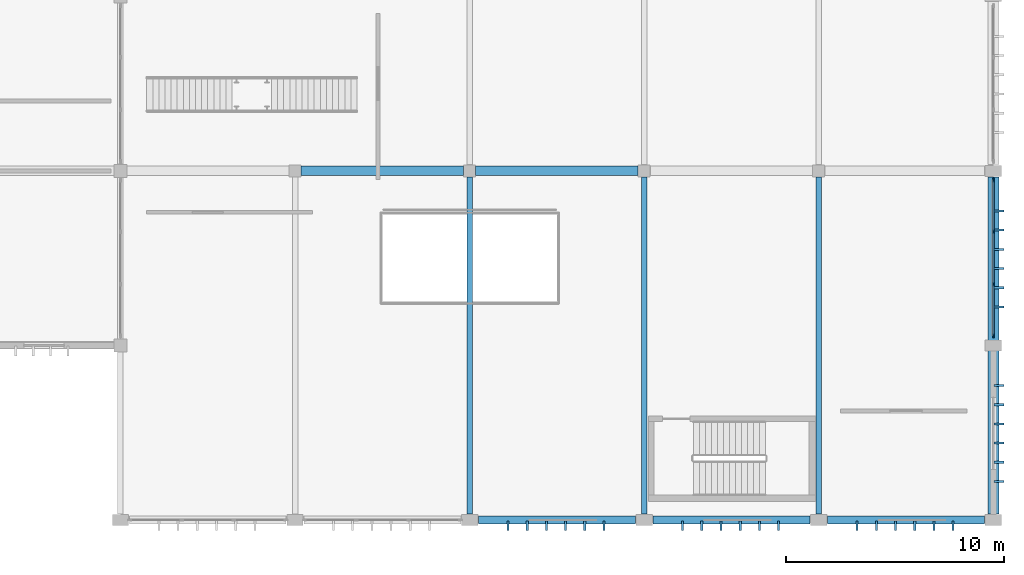
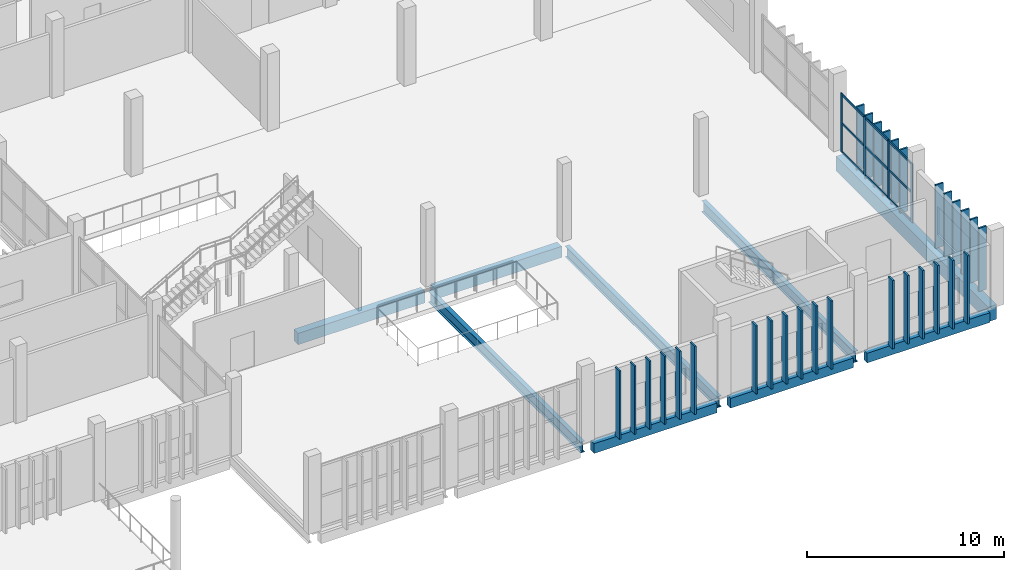
# One storey, part 51 of 106: 43 members, 9 beams, 1 element without a shape of its own.
"""IFC4 building model written with IfcOpenShell, lengths in metres."""

from ifc_helpers import new_model, si_unit, direction, frame, origin, origin_2d, place, context, subcontext, project, spatial, rectangle, i_section, extrude, material, layer, layer_set, material_profile, profile_set, type_object, element, aggregate, save


model = new_model("IFC4")

# Units and contexts
model_context = context("Model", 3, precision=1e-05, world=origin(), true_north=direction((0.0, 1.0)))
body_context = subcontext(model_context, "Body", "Model", "MODEL_VIEW")
ifc_project = project(units=[si_unit("LENGTHUNIT", "METRE"), si_unit("AREAUNIT", "SQUARE_METRE"), si_unit("VOLUMEUNIT", "CUBIC_METRE"), si_unit("PLANEANGLEUNIT", "RADIAN"), si_unit("MASSUNIT", "GRAM", prefix="KILO")], contexts=[model_context])

# Site, building, storey
site_placement = place(None, origin())
site = spatial("IfcSite", under=ifc_project, at=site_placement, CompositionType="ELEMENT")
building_placement = place(site_placement, origin())
building = spatial("IfcBuilding", under=site, at=building_placement, Name="Jelvoka-Kovrelna Polytechnic", CompositionType="ELEMENT")
storey_placement = place(building_placement, frame((0.0, 0.0, 4.800048828125)))
storey = spatial("IfcBuildingStorey", under=building, at=storey_placement, Name="L02", CompositionType="ELEMENT", Elevation=4.800048828125)

# Beams
ifc_material_1 = material(Name="Concrete C40/50", Category="concrete")
ifc_material_profile_1 = material_profile(ifc_material_1, rectangle(XDim=0.449951171875, YDim=0.699951171875, at=origin_2d()), Name="RC 450x700")
ifc_profile_set_1 = profile_set([ifc_material_profile_1], Name="Concrete C40/50")
beam_type_1 = type_object("IfcBeamType", Name="Beam_RC_450x700", PredefinedType="BEAM", material=ifc_profile_set_1)
for number, where, z_axis, x_axis, name in (
    (1, (168.280029296875, 16.0, -0.635009765625), (1.0, 0.0, 0.0), (0.0, 1.0, 0.0), "L02 beam 0184"),
    (2, (176.280029296875, 16.0, -0.635009765625), (1.0, 0.0, 0.0), (0.0, 1.0, 0.0), "L02 beam 0187"),
):
    element("IfcBeam", number, at=place(storey_placement, frame(where, z_axis=z_axis, x_axis=x_axis)), inside=storey, type_object=beam_type_1, Name=name, PredefinedType="BEAM", context=body_context, shape_type="SweptSolid", body=[
        extrude(rectangle(XDim=0.449951171875, YDim=0.699951171875, at=origin_2d()), origin(), (0.0, 0.0, 1.0), 7.43994140625),
    ])
ifc_material_2 = material(Name="Concrete C40/50", Category="concrete")
ifc_material_profile_2 = material_profile(ifc_material_2, rectangle(XDim=0.5, YDim=0.89990234375, at=origin_2d()), Name="RC 500x900")
ifc_profile_set_2 = profile_set([ifc_material_profile_2], Name="Concrete C40/50")
beam_type_2 = type_object("IfcBeamType", Name="Beam_RC_500x900", PredefinedType="BEAM", material=ifc_profile_set_2)
beam_placement = place(storey_placement, frame((200.0, 0.280029296875, -0.735107421875), z_axis=(0.0, 1.0, 0.0), x_axis=(-1.0, 0.0, 0.0)))
element("IfcBeam", 3, at=beam_placement, inside=storey, type_object=beam_type_2, Name="L02 beam 0178", PredefinedType="BEAM", context=body_context, shape_type="SweptSolid", body=[
    extrude(rectangle(XDim=0.5, YDim=0.89990234375, at=origin_2d()), origin(), (0.0, 0.0, 1.0), 15.43994140625),
])
ifc_material_3 = material(Name="Structural steel S355JR", Category="steel")
ifc_material_profile_3 = material_profile(ifc_material_3, i_section(OverallWidth=0.2529296875, OverallDepth=0.677978515625, WebThickness=0.01171875, FlangeThickness=0.01611328125, FilletRadius=0.01513671875, at=origin_2d()), Name="686x254x125 UB")
ifc_profile_set_3 = profile_set([ifc_material_profile_3], Name="Structural steel S355JR")
beam_type_3 = type_object("IfcBeamType", Name="Girder_Steel_UB686", PredefinedType="BEAM", material=ifc_profile_set_3)
for number, where, z_axis, x_axis, name in (
    (4, (176.0, 0.280029296875, -0.6240234375), (0.0, 1.0, 0.0), (-1.0, 0.0, 0.0), "L02 beam 0172"),
    (5, (184.0, 0.280029296875, -0.6240234375), (0.0, 1.0, 0.0), (-1.0, 0.0, 0.0), "L02 beam 0174"),
    (6, (192.0, 0.280029296875, -0.6240234375), (0.0, 1.0, 0.0), (-1.0, 0.0, 0.0), "L02 beam 0176"),
):
    element("IfcBeam", number, at=place(storey_placement, frame(where, z_axis=z_axis, x_axis=x_axis)), inside=storey, type_object=beam_type_3, Name=name, PredefinedType="BEAM", context=body_context, shape_type="SweptSolid", body=[
        extrude(i_section(OverallWidth=0.2529296875, OverallDepth=0.677978515625, WebThickness=0.01171875, FlangeThickness=0.01611328125, FilletRadius=0.01513671875, at=origin_2d()), origin(), (0.0, 0.0, 1.0), 15.43994140625),
    ])

# Members
ifc_material_4 = material(Name="Precast concrete C40/50", Category="concrete")
ifc_material_profile_4 = material_profile(ifc_material_4, rectangle(XDim=0.10009765625, YDim=0.449951171875, at=origin_2d()), Name="PC 100x450")
ifc_profile_set_4 = profile_set([ifc_material_profile_4], Name="Precast concrete C40/50")
member_type_1 = type_object("IfcMemberType", Name="Louvre_Fin_100x450", PredefinedType="USERDEFINED", material=ifc_profile_set_4)
for number, where, z_axis, x_axis, name in (
    (7, (177.760009765625, -0.264892578125, -0.2900390625), (0.0, 0.0, 1.0), (1.0, 0.0, 0.0), "L02 V5 south solar louvre fin 2482"),
    (8, (178.639892578125, -0.264892578125, -0.2900390625), (0.0, 0.0, 1.0), (1.0, 0.0, 0.0), "L02 V5 south solar louvre fin 2483"),
    (9, (179.52001953125, -0.264892578125, -0.2900390625), (0.0, 0.0, 1.0), (1.0, 0.0, 0.0), "L02 V5 south solar louvre fin 2484"),
    (10, (180.39990234375, -0.264892578125, -0.2900390625), (0.0, 0.0, 1.0), (1.0, 0.0, 0.0), "L02 V5 south solar louvre fin 2485"),
    (11, (181.280029296875, -0.264892578125, -0.2900390625), (0.0, 0.0, 1.0), (1.0, 0.0, 0.0), "L02 V5 south solar louvre fin 2486"),
    (12, (182.159912109375, -0.264892578125, -0.2900390625), (0.0, 0.0, 1.0), (1.0, 0.0, 0.0), "L02 V5 south solar louvre fin 2487"),
    (13, (185.760009765625, -0.264892578125, -0.2900390625), (0.0, 0.0, 1.0), (1.0, 0.0, 0.0), "L02 V5 south solar louvre fin 2488"),
    (14, (186.639892578125, -0.264892578125, -0.2900390625), (0.0, 0.0, 1.0), (1.0, 0.0, 0.0), "L02 V5 south solar louvre fin 2489"),
    (15, (187.52001953125, -0.264892578125, -0.2900390625), (0.0, 0.0, 1.0), (1.0, 0.0, 0.0), "L02 V5 south solar louvre fin 2490"),
    (16, (188.39990234375, -0.264892578125, -0.2900390625), (0.0, 0.0, 1.0), (1.0, 0.0, 0.0), "L02 V5 south solar louvre fin 2491"),
    (17, (189.280029296875, -0.264892578125, -0.2900390625), (0.0, 0.0, 1.0), (1.0, 0.0, 0.0), "L02 V5 south solar louvre fin 2492"),
    (18, (190.159912109375, -0.264892578125, -0.2900390625), (0.0, 0.0, 1.0), (1.0, 0.0, 0.0), "L02 V5 south solar louvre fin 2493"),
    (19, (193.760009765625, -0.264892578125, -0.2900390625), (0.0, 0.0, 1.0), (1.0, 0.0, 0.0), "L02 V5 south solar louvre fin 2494"),
    (20, (194.639892578125, -0.264892578125, -0.2900390625), (0.0, 0.0, 1.0), (1.0, 0.0, 0.0), "L02 V5 south solar louvre fin 2495"),
    (21, (195.52001953125, -0.264892578125, -0.2900390625), (0.0, 0.0, 1.0), (1.0, 0.0, 0.0), "L02 V5 south solar louvre fin 2496"),
    (22, (196.39990234375, -0.264892578125, -0.2900390625), (0.0, 0.0, 1.0), (1.0, 0.0, 0.0), "L02 V5 south solar louvre fin 2497"),
    (23, (197.280029296875, -0.264892578125, -0.2900390625), (0.0, 0.0, 1.0), (1.0, 0.0, 0.0), "L02 V5 south solar louvre fin 2498"),
    (24, (198.159912109375, -0.264892578125, -0.2900390625), (0.0, 0.0, 1.0), (1.0, 0.0, 0.0), "L02 V5 south solar louvre fin 2499"),
):
    element("IfcMember", number, at=place(storey_placement, frame(where, z_axis=z_axis, x_axis=x_axis)), inside=storey, type_object=member_type_1, Name=name, ObjectType="SUNSHADE", PredefinedType="USERDEFINED", context=body_context, shape_type="SweptSolid", body=[
        extrude(rectangle(XDim=0.10009765625, YDim=0.449951171875, at=origin_2d()), origin(), (0.0, 0.0, 1.0), 4.22998046875),
    ])
for number, where, z_axis, x_axis, name in (
    (25, (200.264892578125, 1.760009765625, -0.2900390625), (0.0, 0.0, 1.0), (0.0, 1.0, 0.0), "L02 V5 east solar louvre fin 2500"),
    (26, (200.264892578125, 2.639892578125, -0.2900390625), (0.0, 0.0, 1.0), (0.0, 1.0, 0.0), "L02 V5 east solar louvre fin 2501"),
    (27, (200.264892578125, 3.52001953125, -0.2900390625), (0.0, 0.0, 1.0), (0.0, 1.0, 0.0), "L02 V5 east solar louvre fin 2502"),
    (28, (200.264892578125, 4.39990234375, -0.2900390625), (0.0, 0.0, 1.0), (0.0, 1.0, 0.0), "L02 V5 east solar louvre fin 2503"),
    (29, (200.264892578125, 5.280029296875, -0.2900390625), (0.0, 0.0, 1.0), (0.0, 1.0, 0.0), "L02 V5 east solar louvre fin 2504"),
    (30, (200.264892578125, 6.159912109375, -0.2900390625), (0.0, 0.0, 1.0), (0.0, 1.0, 0.0), "L02 V5 east solar louvre fin 2505"),
    (31, (200.264892578125, 9.760009765625, -0.2900390625), (0.0, 0.0, 1.0), (0.0, 1.0, 0.0), "L02 V5 east solar louvre fin 2506"),
    (32, (200.264892578125, 10.639892578125, -0.2900390625), (0.0, 0.0, 1.0), (0.0, 1.0, 0.0), "L02 V5 east solar louvre fin 2507"),
    (33, (200.264892578125, 11.52001953125, -0.2900390625), (0.0, 0.0, 1.0), (0.0, 1.0, 0.0), "L02 V5 east solar louvre fin 2508"),
    (34, (200.264892578125, 12.39990234375, -0.2900390625), (0.0, 0.0, 1.0), (0.0, 1.0, 0.0), "L02 V5 east solar louvre fin 2509"),
    (35, (200.264892578125, 13.280029296875, -0.2900390625), (0.0, 0.0, 1.0), (0.0, 1.0, 0.0), "L02 V5 east solar louvre fin 2510"),
    (36, (200.264892578125, 14.159912109375, -0.2900390625), (0.0, 0.0, 1.0), (0.0, 1.0, 0.0), "L02 V5 east solar louvre fin 2511"),
):
    element("IfcMember", number, at=place(storey_placement, frame(where, z_axis=z_axis, x_axis=x_axis)), inside=storey, type_object=member_type_1, Name=name, ObjectType="SUNSHADE", PredefinedType="USERDEFINED", context=body_context, shape_type="SweptSolid", body=[
        extrude(rectangle(XDim=0.10009765625, YDim=0.449951171875, at=origin_2d()), origin(), (0.0, 0.0, 1.0), 3.929931640625),
    ])

# Curtain wall, members
ifc_material_5 = material(Name="Anodised aluminium 6063-T6", Category="aluminium")
ifc_layer = layer(ifc_material_5, 0.179931640625)
ifc_layer_set = layer_set([ifc_layer], Name="Anodised aluminium 6063-T6")
curtain_wall_type = type_object("IfcCurtainWallType", Name="CW_Pavilion", PredefinedType="NOTDEFINED", material=ifc_layer_set)
curtain_wall_placement = place(storey_placement, origin())
curtain_wall = element("IfcCurtainWall", 37, at=curtain_wall_placement, inside=storey, type_object=curtain_wall_type, Name="L02 glazed curtain wall 281", PredefinedType="NOTDEFINED")
ifc_material_6 = material(Name="Anodised aluminium 6063-T6", Category="aluminium")
ifc_material_profile_5 = material_profile(ifc_material_6, rectangle(XDim=0.06494140625, YDim=0.179931640625, at=origin_2d()), Name="ALU 65x180")
ifc_profile_set_5 = profile_set([ifc_material_profile_5], Name="Anodised aluminium 6063-T6")
member_type_2 = type_object("IfcMemberType", Name="Mullion_M-05", PredefinedType="MULLION", material=ifc_profile_set_5)
member_1_placement = place(storey_placement, frame((200.0, 15.5673828125, -0.02490234375), z_axis=(0.0, 0.0, 1.0), x_axis=(1.0, 0.0, 0.0)))
member_1 = element("IfcMember", 38, at=member_1_placement, type_object=member_type_2, Name="CW-05 mullion 1", PredefinedType="MULLION", context=body_context, shape_type="SweptSolid", body=[
    extrude(rectangle(XDim=0.06494140625, YDim=0.179931640625, at=origin_2d()), origin(), (0.0, 0.0, 1.0), 3.639892578125),
])
member_2_placement = place(storey_placement, frame((200.0, 13.199951171875, -0.02490234375), z_axis=(0.0, 0.0, 1.0), x_axis=(1.0, 0.0, 0.0)))
member_2 = element("IfcMember", 39, at=member_2_placement, type_object=member_type_2, Name="CW-05 mullion 2", PredefinedType="MULLION", context=body_context, shape_type="SweptSolid", body=[
    extrude(rectangle(XDim=0.06494140625, YDim=0.179931640625, at=origin_2d()), origin(), (0.0, 0.0, 1.0), 3.639892578125),
])
member_3_placement = place(storey_placement, frame((200.0, 10.800048828125, -0.02490234375), z_axis=(0.0, 0.0, 1.0), x_axis=(1.0, 0.0, 0.0)))
member_3 = element("IfcMember", 40, at=member_3_placement, type_object=member_type_2, Name="CW-05 mullion 3", PredefinedType="MULLION", context=body_context, shape_type="SweptSolid", body=[
    extrude(rectangle(XDim=0.06494140625, YDim=0.179931640625, at=origin_2d()), origin(), (0.0, 0.0, 1.0), 3.639892578125),
])
member_4_placement = place(storey_placement, frame((200.0, 8.4326171875, -0.02490234375), z_axis=(0.0, 0.0, 1.0), x_axis=(1.0, 0.0, 0.0)))
member_4 = element("IfcMember", 41, at=member_4_placement, type_object=member_type_2, Name="CW-05 mullion 4", PredefinedType="MULLION", context=body_context, shape_type="SweptSolid", body=[
    extrude(rectangle(XDim=0.06494140625, YDim=0.179931640625, at=origin_2d()), origin(), (0.0, 0.0, 1.0), 3.639892578125),
])

# Beams
ifc_material_7 = material(Name="Concrete C40/50", Category="concrete")
ifc_material_profile_6 = material_profile(ifc_material_7, rectangle(XDim=0.35009765625, YDim=0.60009765625, at=origin_2d()), Name="RC 350x600")
ifc_profile_set_6 = profile_set([ifc_material_profile_6], Name="Concrete C40/50")
beam_type_4 = type_object("IfcBeamType", Name="Spandrel_RC_350x600", PredefinedType="SPANDREL", material=ifc_profile_set_6)
for number, where, z_axis, x_axis, name in (
    (42, (176.405029296875, 0.0, -0.5849609375), (1.0, 0.0, 0.0), (0.0, 1.0, 0.0), "L02 beam 0186"),
    (43, (184.405029296875, 0.0, -0.5849609375), (1.0, 0.0, 0.0), (0.0, 1.0, 0.0), "L02 beam 0189"),
    (44, (192.405029296875, 0.0, -0.5849609375), (1.0, 0.0, 0.0), (0.0, 1.0, 0.0), "L02 beam 0192"),
):
    element("IfcBeam", number, at=place(storey_placement, frame(where, z_axis=z_axis, x_axis=x_axis)), inside=storey, type_object=beam_type_4, Name=name, PredefinedType="SPANDREL", context=body_context, shape_type="SweptSolid", body=[
        extrude(rectangle(XDim=0.35009765625, YDim=0.60009765625, at=origin_2d()), origin(), (0.0, 0.0, 1.0), 7.18994140625),
    ])

# Member
ifc_material_8 = material(Name="Anodised aluminium 6063-T6", Category="aluminium")
ifc_material_profile_7 = material_profile(ifc_material_8, rectangle(XDim=0.06494140625, YDim=0.135009765625, at=origin_2d()), Name="ALU 65x135")
ifc_profile_set_7 = profile_set([ifc_material_profile_7], Name="Anodised aluminium 6063-T6")
member_type_3 = type_object("IfcMemberType", Name="Transom_T-05", PredefinedType="USERDEFINED", material=ifc_profile_set_7)
member_5_placement = place(storey_placement, frame((200.0, 15.534912109375, 0.032470703125), z_axis=(0.0, -1.0, 0.0), x_axis=(1.0, 0.0, 0.0)))
member_5 = element("IfcMember", 45, at=member_5_placement, type_object=member_type_3, Name="CW-05 transom 1.1", ObjectType="TRANSOM", PredefinedType="USERDEFINED", context=body_context, shape_type="SweptSolid", body=[
    extrude(rectangle(XDim=0.06494140625, YDim=0.135009765625, at=origin_2d()), origin(), (0.0, 0.0, 1.0), 2.302490234375),
])

member_6_placement = place(storey_placement, frame((200.0, 15.534912109375, 1.794921875), z_axis=(0.0, -1.0, 0.0), x_axis=(1.0, 0.0, 0.0)))
member_6 = element("IfcMember", 46, at=member_6_placement, type_object=member_type_3, Name="CW-05 transom 1.2", ObjectType="TRANSOM", PredefinedType="USERDEFINED", context=body_context, shape_type="SweptSolid", body=[
    extrude(rectangle(XDim=0.06494140625, YDim=0.135009765625, at=origin_2d()), origin(), (0.0, 0.0, 1.0), 2.302490234375),
])

member_7_placement = place(storey_placement, frame((200.0, 15.534912109375, 3.557373046875), z_axis=(0.0, -1.0, 0.0), x_axis=(1.0, 0.0, 0.0)))
member_7 = element("IfcMember", 47, at=member_7_placement, type_object=member_type_3, Name="CW-05 transom 1.3", ObjectType="TRANSOM", PredefinedType="USERDEFINED", context=body_context, shape_type="SweptSolid", body=[
    extrude(rectangle(XDim=0.06494140625, YDim=0.135009765625, at=origin_2d()), origin(), (0.0, 0.0, 1.0), 2.302490234375),
])

member_8_placement = place(storey_placement, frame((200.0, 13.16748046875, 0.032470703125), z_axis=(0.0, -1.0, 0.0), x_axis=(1.0, 0.0, 0.0)))
member_8 = element("IfcMember", 48, at=member_8_placement, type_object=member_type_3, Name="CW-05 transom 2.1", ObjectType="TRANSOM", PredefinedType="USERDEFINED", context=body_context, shape_type="SweptSolid", body=[
    extrude(rectangle(XDim=0.06494140625, YDim=0.135009765625, at=origin_2d()), origin(), (0.0, 0.0, 1.0), 2.3349609375),
])

member_9_placement = place(storey_placement, frame((200.0, 13.16748046875, 1.794921875), z_axis=(0.0, -1.0, 0.0), x_axis=(1.0, 0.0, 0.0)))
member_9 = element("IfcMember", 49, at=member_9_placement, type_object=member_type_3, Name="CW-05 transom 2.2", ObjectType="TRANSOM", PredefinedType="USERDEFINED", context=body_context, shape_type="SweptSolid", body=[
    extrude(rectangle(XDim=0.06494140625, YDim=0.135009765625, at=origin_2d()), origin(), (0.0, 0.0, 1.0), 2.3349609375),
])

member_10_placement = place(storey_placement, frame((200.0, 13.16748046875, 3.557373046875), z_axis=(0.0, -1.0, 0.0), x_axis=(1.0, 0.0, 0.0)))
member_10 = element("IfcMember", 50, at=member_10_placement, type_object=member_type_3, Name="CW-05 transom 2.3", ObjectType="TRANSOM", PredefinedType="USERDEFINED", context=body_context, shape_type="SweptSolid", body=[
    extrude(rectangle(XDim=0.06494140625, YDim=0.135009765625, at=origin_2d()), origin(), (0.0, 0.0, 1.0), 2.3349609375),
])

member_11_placement = place(storey_placement, frame((200.0, 10.767578125, 0.032470703125), z_axis=(0.0, -1.0, 0.0), x_axis=(1.0, 0.0, 0.0)))
member_11 = element("IfcMember", 51, at=member_11_placement, type_object=member_type_3, Name="CW-05 transom 3.1", ObjectType="TRANSOM", PredefinedType="USERDEFINED", context=body_context, shape_type="SweptSolid", body=[
    extrude(rectangle(XDim=0.06494140625, YDim=0.135009765625, at=origin_2d()), origin(), (0.0, 0.0, 1.0), 2.302490234375),
])

member_12_placement = place(storey_placement, frame((200.0, 10.767578125, 1.794921875), z_axis=(0.0, -1.0, 0.0), x_axis=(1.0, 0.0, 0.0)))
member_12 = element("IfcMember", 52, at=member_12_placement, type_object=member_type_3, Name="CW-05 transom 3.2", ObjectType="TRANSOM", PredefinedType="USERDEFINED", context=body_context, shape_type="SweptSolid", body=[
    extrude(rectangle(XDim=0.06494140625, YDim=0.135009765625, at=origin_2d()), origin(), (0.0, 0.0, 1.0), 2.302490234375),
])

member_13_placement = place(storey_placement, frame((200.0, 10.767578125, 3.557373046875), z_axis=(0.0, -1.0, 0.0), x_axis=(1.0, 0.0, 0.0)))
member_13 = element("IfcMember", 53, at=member_13_placement, type_object=member_type_3, Name="CW-05 transom 3.3", ObjectType="TRANSOM", PredefinedType="USERDEFINED", context=body_context, shape_type="SweptSolid", body=[
    extrude(rectangle(XDim=0.06494140625, YDim=0.135009765625, at=origin_2d()), origin(), (0.0, 0.0, 1.0), 2.302490234375),
])

aggregate(curtain_wall, [member_1, member_2, member_3, member_4, member_5, member_6, member_7, member_8, member_9, member_10, member_11, member_12, member_13])

save(model, "model.ifc")
